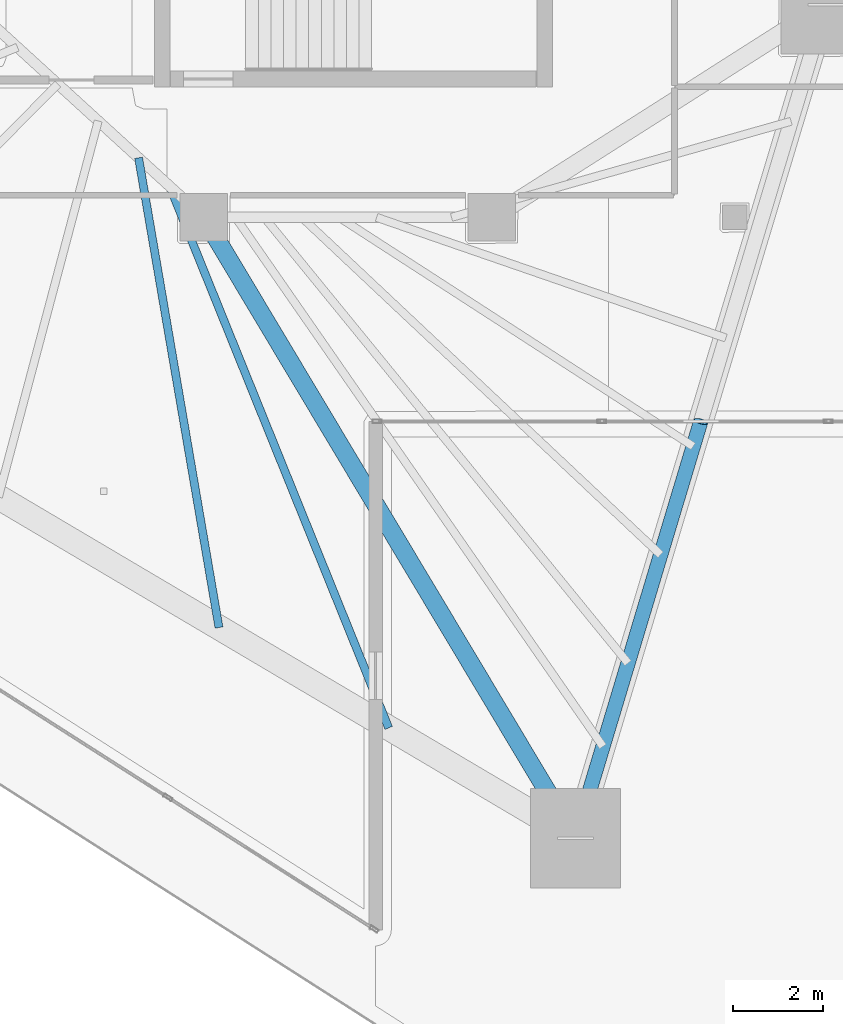
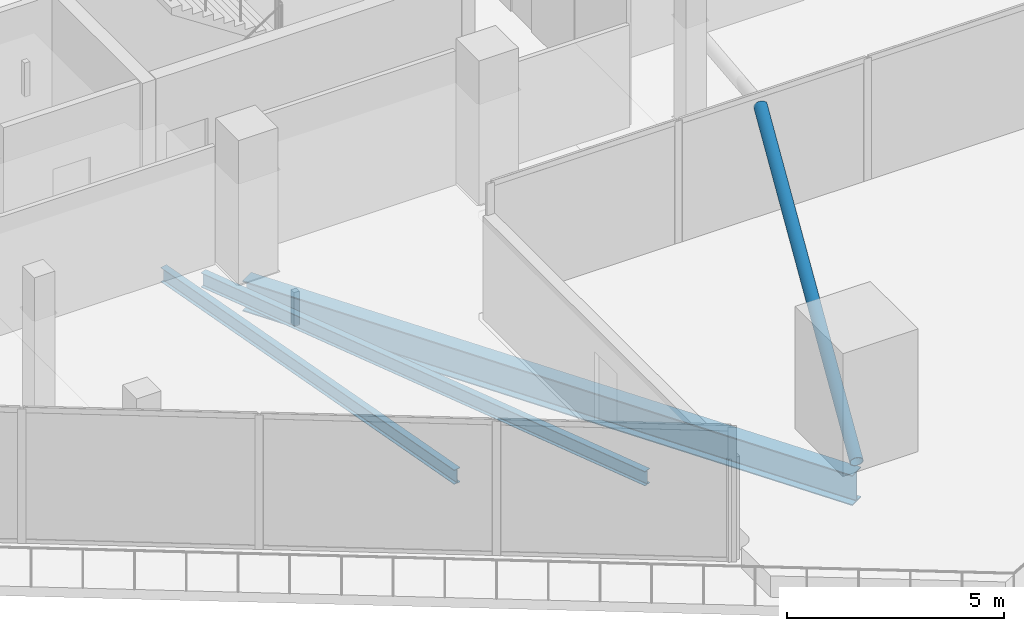
# One storey, part 8 of 39: 3 beams, 1 member.
"""IFC4 building model written with IfcOpenShell, lengths in metres."""

from ifc_helpers import new_model, si_unit, direction, frame, origin, origin_2d, place, context, subcontext, project, spatial, hollow_circle, i_section, extrude, material, material_profile, profile_set, type_object, element, save


model = new_model("IFC4")

# Units and contexts
model_context = context("Model", 3, precision=1e-05, world=origin(), true_north=direction((0.0, 1.0)))
body_context = subcontext(model_context, "Body", "Model", "MODEL_VIEW")
ifc_project = project(units=[si_unit("LENGTHUNIT", "METRE"), si_unit("AREAUNIT", "SQUARE_METRE"), si_unit("VOLUMEUNIT", "CUBIC_METRE"), si_unit("PLANEANGLEUNIT", "RADIAN"), si_unit("MASSUNIT", "GRAM", prefix="KILO")], contexts=[model_context])

# Site, building, storey
site_placement = place(None, origin())
site = spatial("IfcSite", under=ifc_project, at=site_placement, CompositionType="ELEMENT")
building_placement = place(site_placement, origin())
building = spatial("IfcBuilding", under=site, at=building_placement, Name="Qorvath Tower", CompositionType="ELEMENT")
storey_placement = place(building_placement, frame((0.0, 0.0, 154.35009765625)))
storey = spatial("IfcBuildingStorey", under=building, at=storey_placement, Name="L35", CompositionType="ELEMENT", Elevation=154.35009765625)

# Beams
ifc_material_1 = material(Name="Steel ASTM A992 Grade 50", Category="steel")
ifc_material_profile_1 = material_profile(ifc_material_1, i_section(OverallWidth=0.39892578125, OverallDepth=0.85498046875, WebThickness=0.018310546875, FlangeThickness=0.029296875, FilletRadius=0.02001953125, at=origin_2d()), Name="W33x201")
ifc_profile_set_1 = profile_set([ifc_material_profile_1], Name="Steel ASTM A992 Grade 50")
beam_type_1 = type_object("IfcBeamType", Name="BM-FG2", PredefinedType="BEAM", material=ifc_profile_set_1)
beam_1_placement = place(storey_placement, frame((-23.60009765625, -11.449951171875, -0.697509765625), z_axis=(0.513497213955, -0.85809126045, 0.0), x_axis=(0.85809126045, 0.513497213955, 0.0)))
element("IfcBeam", 1, at=beam_1_placement, inside=storey, type_object=beam_type_1, Name="Radial Floor Girder CC4-MC3 L35", PredefinedType="BEAM", context=body_context, shape_type="SweptSolid", body=[
    extrude(i_section(OverallWidth=0.39892578125, OverallDepth=0.85498046875, WebThickness=0.018310546875, FlangeThickness=0.029296875, FilletRadius=0.02001953125, at=origin_2d()), origin(), (0.0, 0.0, 1.0), 16.07763671875),
])
ifc_material_2 = material(Name="Steel ASTM A992 Grade 50", Category="steel")
ifc_material_profile_2 = material_profile(ifc_material_2, i_section(OverallWidth=0.177978515625, OverallDepth=0.406005859375, WebThickness=0.0078125, FlangeThickness=0.0126953125, FilletRadius=0.010986328125, at=origin_2d()), Name="W16x40")
ifc_profile_set_2 = profile_set([ifc_material_profile_2], Name="Steel ASTM A992 Grade 50")
beam_type_2 = type_object("IfcBeamType", Name="BM-FJ3", PredefinedType="JOIST", material=ifc_profile_set_2)
beam_2_placement = place(storey_placement, frame((-25.049072265625, -10.126953125, -0.472900390625), z_axis=(0.168745594245, -0.985659639238, 0.0), x_axis=(0.985659639238, 0.168745594245, 0.0)))
element("IfcBeam", 2, at=beam_2_placement, inside=storey, type_object=beam_type_2, Name="Composite Floor Joist SW6 L35", PredefinedType="JOIST", context=body_context, shape_type="SweptSolid", body=[
    extrude(i_section(OverallWidth=0.177978515625, OverallDepth=0.406005859375, WebThickness=0.0078125, FlangeThickness=0.0126953125, FilletRadius=0.010986328125, at=origin_2d()), origin(), (0.0, 0.0, 1.0), 10.589111328125),
])
beam_3_placement = place(storey_placement, frame((-24.35888671875, -10.757080078125, -0.472900390625), z_axis=(0.37487652097, -0.927074751045, 0.0), x_axis=(0.927074751045, 0.37487652097, 0.0)))
element("IfcBeam", 3, at=beam_3_placement, inside=storey, type_object=beam_type_2, Name="Composite Floor Joist SW7 L35", PredefinedType="JOIST", context=body_context, shape_type="SweptSolid", body=[
    extrude(i_section(OverallWidth=0.177978515625, OverallDepth=0.406005859375, WebThickness=0.0078125, FlangeThickness=0.0126953125, FilletRadius=0.010986328125, at=origin_2d()), origin(), (0.0, 0.0, 1.0), 12.9833984375),
])

# Member
ifc_material_3 = material(Name="Steel ASTM A500 Grade C", Category="steel")
ifc_material_profile_3 = material_profile(ifc_material_3, hollow_circle(Radius=0.161865234375, WallThickness=0.0126953125, at=origin_2d()), Name="CHS 324x12.7")
ifc_profile_set_3 = profile_set([ifc_material_profile_3], Name="Steel ASTM A500 Grade C")
member_type = type_object("IfcMemberType", Name="MEM-ST1", PredefinedType="STRUT", material=ifc_profile_set_3)
member_placement = place(storey_placement, frame((-15.34423828125, -25.24609375, 0.0), z_axis=(0.271575684431, 0.902532401159, 0.334188438585), x_axis=(-0.957587679228, 0.288142042386, 0.0)))
element("IfcMember", 4, at=member_placement, inside=storey, type_object=member_type, Name="Sky Garden Corner Strut L35-A", PredefinedType="STRUT", context=body_context, shape_type="SweptSolid", body=[
    extrude(hollow_circle(Radius=0.161865234375, WallThickness=0.0126953125, at=origin_2d()), origin(), (0.0, 0.0, 1.0), 10.2626953125),
])

save(model, "model.ifc")
